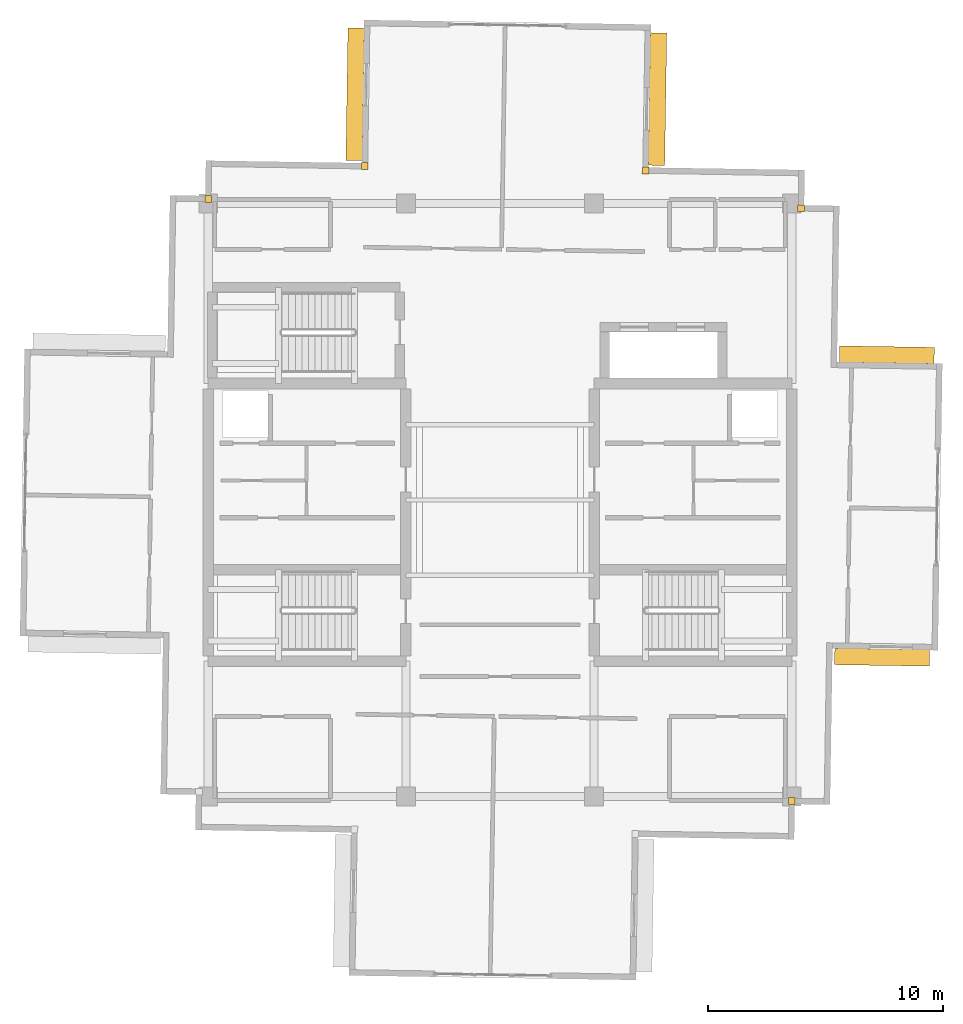
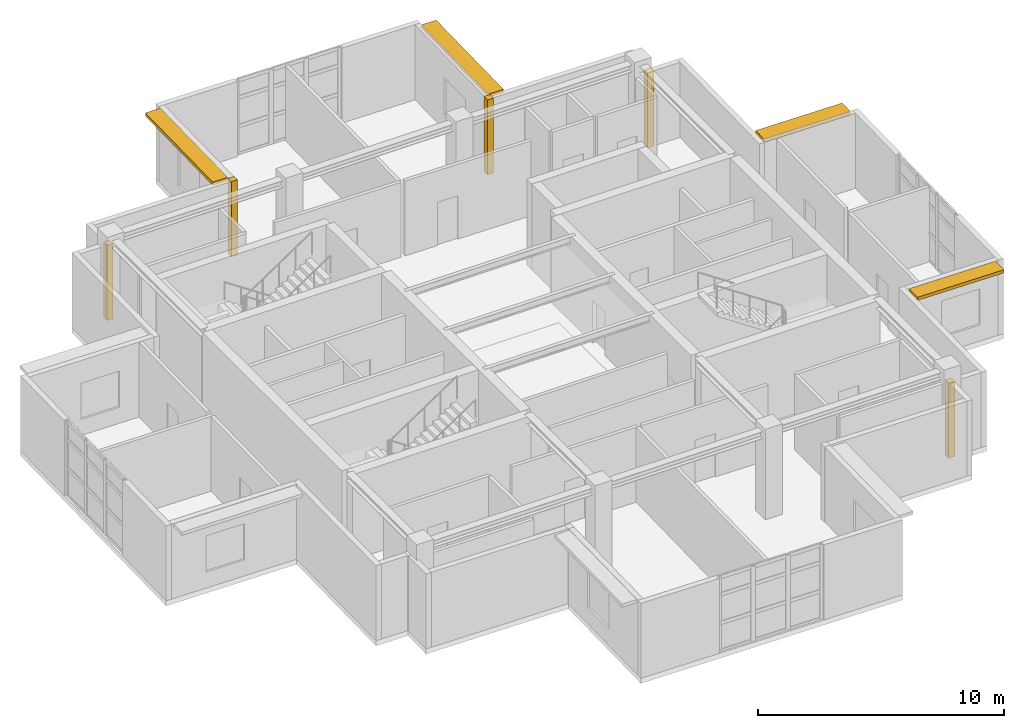
# One storey, part 15 of 15: 5 coverings, 4 shading devices.
"""IFC4 building model written with IfcOpenShell, lengths in metres."""

import ifcopenshell
import ifcopenshell.guid

model = None  # the IFC model being written
_history = None  # IfcOwnerHistory: only IFC2X3 demands one
_inside = {}  # id of a spatial element -> (the spatial element, [elements in it])
_under = {}  # id of a project, library or spatial element -> (it, [spatial elements below it])
_declared = {}  # id of a project -> (the project, [libraries it declares])
_typed = {}  # id of a type object -> (the type object, [elements of that type])
_made_of = {}  # id of a material, layer set ... -> (it, [elements and type objects made of it])


def new_model(schema):
    """Start an empty IFC model of exactly this schema.

    Asked for "IFC4X3", IfcOpenShell would pick the latest addendum, in which some entities
    have other attributes; the version numbers below select the first issue.
    IFC2X3 requires an IfcOwnerHistory on every rooted entity: one is made here for all.
    """
    global model, _history
    if schema == "IFC4X3":
        model = ifcopenshell.file(schema_version=(4, 3, 0, 0))
    else:
        model = ifcopenshell.file(schema=schema)
    _inside.clear()
    _under.clear()
    _declared.clear()
    _typed.clear()
    _made_of.clear()
    _history = None
    if model.schema == "IFC2X3":
        org = make("IfcOrganization", Name="unknown")
        user = make(
            "IfcPersonAndOrganization",
            ThePerson=make("IfcPerson", FamilyName="unknown"),
            TheOrganization=org,
        )
        app = make(
            "IfcApplication",
            ApplicationDeveloper=org,
            Version="unknown",
            ApplicationFullName="unknown",
            ApplicationIdentifier="unknown",
        )
        _history = make(
            "IfcOwnerHistory",
            OwningUser=user,
            OwningApplication=app,
            ChangeAction="ADDED",
            CreationDate=0,
        )
    return model


def make(cls, **values):
    """One entity of the class cls with the attributes given. An attribute that is None is left unset."""
    return model.create_entity(
        cls, **{name: value for name, value in values.items() if value is not None}
    )


def rooted(cls, **values):
    """An entity with a GlobalId (a new one), such as an element, a storey or a relation."""
    return make(cls, GlobalId=ifcopenshell.guid.new(), OwnerHistory=_history, **values)


def si_unit(unit_type, name, prefix=None):
    """IfcSIUnit, for example si_unit("LENGTHUNIT", "METRE", prefix="MILLI")."""
    return make("IfcSIUnit", UnitType=unit_type, Prefix=prefix, Name=name)


def assignment(units):
    """IfcUnitAssignment: the units of a project."""
    return None if units is None else make("IfcUnitAssignment", Units=units)


def point(xyz):
    """IfcCartesianPoint."""
    return None if xyz is None else make("IfcCartesianPoint", Coordinates=xyz)


def direction(xyz):
    """IfcDirection."""
    return None if xyz is None else make("IfcDirection", DirectionRatios=xyz)


def frame(location, z_axis=None, x_axis=None):
    """IfcAxis2Placement3D, a coordinate frame: its origin and axes. An axis left out is left unset."""
    return make(
        "IfcAxis2Placement3D",
        Location=point(location),
        Axis=direction(z_axis),
        RefDirection=direction(x_axis),
    )


def frame_2d(location, x_axis=None):
    """IfcAxis2Placement2D, a coordinate frame in the plane: its origin and x axis."""
    return make(
        "IfcAxis2Placement2D", Location=point(location), RefDirection=direction(x_axis)
    )


def origin():
    """The frame at (0, 0, 0) with its axes left unset."""
    return frame((0.0, 0.0, 0.0))


def origin_2d():
    """The frame at (0, 0) in the plane with its x axis left unset."""
    return frame_2d((0.0, 0.0))


def place(relative_to, where):
    """IfcLocalPlacement: puts the frame where relative to a parent placement (None: the world)."""
    return make(
        "IfcLocalPlacement", PlacementRelTo=relative_to, RelativePlacement=where
    )


def context(
    kind, dimensions, precision=None, world=None, true_north=None, identifier=None
):
    """IfcGeometricRepresentationContext, for example the 3D "Model" context."""
    return make(
        "IfcGeometricRepresentationContext",
        ContextIdentifier=identifier,
        ContextType=kind,
        CoordinateSpaceDimension=dimensions,
        Precision=precision,
        WorldCoordinateSystem=world,
        TrueNorth=true_north,
    )


def subcontext(parent, identifier, kind, view, scale=None):
    """IfcGeometricRepresentationSubContext, for example "Body" below "Model"."""
    return make(
        "IfcGeometricRepresentationSubContext",
        ContextIdentifier=identifier,
        ContextType=kind,
        ParentContext=parent,
        TargetScale=scale,
        TargetView=view,
    )


def project(units=None, contexts=None):
    """IfcProject with its units and contexts."""
    return rooted(
        "IfcProject",
        Name="project",
        RepresentationContexts=contexts,
        UnitsInContext=assignment(units),
    )


def spatial(cls, under=None, at=None, **own):
    """A site, building, storey or space (cls), placed at a placement, below another one or the project."""
    s = rooted(cls, ObjectPlacement=at, **own)
    if under is not None:
        _under.setdefault(under.id(), (under, []))[1].append(s)
    return s


def profile(cls, at=None, kind="AREA", **sizes):
    """A parametric profile (cls). Its sizes go by their IFC names, for example OverallWidth=200.0."""
    return make(cls, ProfileType=kind, Position=at, **sizes)


def rectangle(**sizes):
    """IfcRectangleProfileDef."""
    return profile("IfcRectangleProfileDef", **sizes)


def extrude(swept, where, along, depth):
    """IfcExtrudedAreaSolid: the profile swept, set in the frame where, extruded along a direction by depth."""
    return make(
        "IfcExtrudedAreaSolid",
        SweptArea=swept,
        Position=where,
        ExtrudedDirection=direction(along),
        Depth=depth,
    )


def shape(context_of_items, identifier, shape_type, items):
    """IfcShapeRepresentation: the items that make up one representation, for example the "Body"."""
    return make(
        "IfcShapeRepresentation",
        ContextOfItems=context_of_items,
        RepresentationIdentifier=identifier,
        RepresentationType=shape_type,
        Items=items,
    )


def material(Name=None, Category=None):
    """IfcMaterial."""
    return make("IfcMaterial", Name=Name, Category=Category)


def layer(
    of_material, thickness, ventilated=None, Name=None, Category=None, Priority=None
):
    """IfcMaterialLayer: one layer of a wall or slab, of a material (None: an air gap)."""
    return make(
        "IfcMaterialLayer",
        Material=of_material,
        LayerThickness=thickness,
        IsVentilated=ventilated,
        Name=Name,
        Category=Category,
        Priority=Priority,
    )


def layer_set(layers, Name=None):
    """IfcMaterialLayerSet."""
    return make("IfcMaterialLayerSet", MaterialLayers=layers, LayerSetName=Name)


def made_of(thing, what):
    """Note that an element or type object is made of a material, layer set ...; save() writes the relation."""
    if what is not None:
        _made_of.setdefault(what.id(), (what, []))[1].append(thing)
    return thing


def type_object(cls, material=None, **own):
    """A type object (cls), such as IfcWallType, which elements share."""
    return made_of(rooted(cls, **own), material)


def element(
    cls,
    number,
    at=None,
    inside=None,
    cuts=None,
    type_object=None,
    material=None,
    context=None,
    identifier="Body",
    shape_type=None,
    held_by="IfcProductDefinitionShape",
    body=None,
    shapes=None,
    **own,
):
    """One element of the class cls, such as IfcWall. Its Tag is "e" and its number.

    at: its placement. inside: the storey or other place that contains it. cuts: it is an
    opening in that element (IfcRelVoidsElement). A single representation is given by context,
    identifier, shape_type and body (its items); several are given by shapes. held_by: the class
    of the entity that holds the representations. save() writes the other relations.
    """
    e = rooted(cls, Tag="e%d" % number, ObjectPlacement=at, **own)
    if body is not None:
        shapes = [shape(context, identifier, shape_type, body)]
    if shapes is not None:
        e.Representation = make(held_by, Representations=shapes)
    if inside is not None:
        _inside.setdefault(inside.id(), (inside, []))[1].append(e)
    if cuts is not None:
        rooted(
            "IfcRelVoidsElement", RelatingBuildingElement=cuts, RelatedOpeningElement=e
        )
    if type_object is not None:
        _typed.setdefault(type_object.id(), (type_object, []))[1].append(e)
    return made_of(e, material)


def aggregate(whole, parts):
    """IfcRelAggregates: a whole, such as a stair, and the parts it consists of."""
    return rooted("IfcRelAggregates", RelatingObject=whole, RelatedObjects=parts)


def save(model, path):
    """Write the relations noted so far, then the file.

    IfcRelAggregates (storeys below a building ...), IfcRelContainedInSpatialStructure (elements
    in a storey), IfcRelDefinesByType, IfcRelAssociatesMaterial and IfcRelDeclares: one each for
    every whole, place, type object, material and project.
    """
    for whole, parts in _under.values():
        aggregate(whole, parts)
    for where, things in _inside.values():
        rooted(
            "IfcRelContainedInSpatialStructure",
            RelatedElements=things,
            RelatingStructure=where,
        )
    for kind, things in _typed.values():
        rooted("IfcRelDefinesByType", RelatedObjects=things, RelatingType=kind)
    for what, things in _made_of.values():
        rooted("IfcRelAssociatesMaterial", RelatedObjects=things, RelatingMaterial=what)
    for by, libraries in _declared.values():
        rooted("IfcRelDeclares", RelatingContext=by, RelatedDefinitions=libraries)
    model.write(path)


model = new_model("IFC4")

# Units and contexts
model_context = context("Model", 3, precision=1e-05, world=origin(), true_north=direction((0.0, 1.0)))
body_context = subcontext(model_context, "Body", "Model", "MODEL_VIEW")
ifc_project = project(units=[si_unit("LENGTHUNIT", "METRE"), si_unit("AREAUNIT", "SQUARE_METRE"), si_unit("VOLUMEUNIT", "CUBIC_METRE"), si_unit("PLANEANGLEUNIT", "RADIAN"), si_unit("MASSUNIT", "GRAM", prefix="KILO")], contexts=[model_context])

# Site, building, storey
site_placement = place(None, origin())
site = spatial("IfcSite", under=ifc_project, at=site_placement, CompositionType="ELEMENT")
building_placement = place(site_placement, origin())
building = spatial("IfcBuilding", under=site, at=building_placement, Name="Qingluan Cross Belvedere", CompositionType="ELEMENT")
storey_placement = place(building_placement, frame((0.0, 0.0, 312.89990234375)))
storey = spatial("IfcBuildingStorey", under=building, at=storey_placement, Name="L77", CompositionType="ELEMENT", Elevation=312.89990234375)

# Coverings
ifc_material_1 = material(Name="Precast concrete C45", Category="concrete")
ifc_layer_1 = layer(ifc_material_1, 0.1201171875, Name="ConcreteSpandrelCladding_120")
ifc_layer_set_1 = layer_set([ifc_layer_1], Name="Precast concrete C45")
covering_type = type_object("IfcCoveringType", Name="ConcreteSpandrelCladding_120", PredefinedType="CLADDING", material=ifc_layer_set_1)
for number, where, z_axis, x_axis, name in (
    (1, (12.79638671875, 12.400390625, 0.0), (0.0, 0.0, 1.0), (0.999876632482, -0.015707317312, 0.0), "Corner closure L77-NE1"),
    (2, (6.190673828125, 14.00439453125, 0.0), (0.0, 0.0, 1.0), (0.999876632482, -0.015707317312, 0.0), "Corner closure L77-NE2"),
    (3, (-12.400390625, 12.79638671875, 0.0), (0.0, 0.0, 1.0), (0.999876632482, -0.015707317312, 0.0), "Corner closure L77-NW1"),
    (4, (-5.747802734375, 14.19189453125, 0.0), (0.0, 0.0, 1.0), (0.999876632482, -0.015707317312, 0.0), "Corner closure L77-NW2"),
    (5, (12.400390625, -12.79638671875, 0.0), (0.0, 0.0, 1.0), (0.999876632482, -0.015707317312, 0.0), "Corner closure L77-SE1"),
):
    element("IfcCovering", number, at=place(storey_placement, frame(where, z_axis=z_axis, x_axis=x_axis)), inside=storey, type_object=covering_type, Name=name, PredefinedType="CLADDING", context=body_context, shape_type="SweptSolid", body=[
        extrude(rectangle(XDim=0.2900390625, YDim=0.2900390625, at=origin_2d()), origin(), (0.0, 0.0, 1.0), 3.72998046875),
    ])

# Shading devices
ifc_material_2 = material(Name="Precast concrete C45", Category="concrete")
ifc_layer_2 = layer(ifc_material_2, 0.139892578125, Name="ConcreteSunshadeBand_700")
ifc_layer_set_2 = layer_set([ifc_layer_2], Name="Precast concrete C45")
shading_device_type = type_object("IfcShadingDeviceType", Name="ConcreteSunshadeBand_700", PredefinedType="USERDEFINED", material=ifc_layer_set_2)
for number, where, z_axis, x_axis, name in (
    (6, (16.237060546875, -6.680908203125, 3.55029296875), (0.0, 0.0, 1.0), (0.999876789468, -0.015697320914, 0.0), "Concrete SUNSHADE L77-EA"),
    (7, (16.43896484375, 6.16748046875, 3.55029296875), (0.0, 0.0, 1.0), (-0.999876789468, 0.015697320914, 0.0), "Concrete SUNSHADE L77-EB"),
):
    element("IfcShadingDevice", number, at=place(storey_placement, frame(where, z_axis=z_axis, x_axis=x_axis)), inside=storey, type_object=shading_device_type, Name=name, ObjectType="SUNSHADE", PredefinedType="USERDEFINED", context=body_context, shape_type="SweptSolid", body=[
        extrude(rectangle(XDim=4.030029296875, YDim=0.699951171875, at=origin_2d()), origin(), (0.0, 0.0, 1.0), 0.159912109375),
    ])
for number, where, z_axis, x_axis, name in (
    (8, (6.693359375, 17.037109375, 3.55029296875), (0.0, 0.0, 1.0), (0.015711782395, 0.999876562329, 0.0), "Concrete SUNSHADE L77-NA"),
    (9, (-6.155029296875, 17.23876953125, 3.55029296875), (0.0, 0.0, 1.0), (-0.015694634014, -0.999876831646, 0.0), "Concrete SUNSHADE L77-NB"),
):
    element("IfcShadingDevice", number, at=place(storey_placement, frame(where, z_axis=z_axis, x_axis=x_axis)), inside=storey, type_object=shading_device_type, Name=name, ObjectType="SUNSHADE", PredefinedType="USERDEFINED", context=body_context, shape_type="SweptSolid", body=[
        extrude(rectangle(XDim=5.6298828125, YDim=0.699951171875, at=origin_2d()), origin(), (0.0, 0.0, 1.0), 0.159912109375),
    ])

save(model, "model.ifc")
